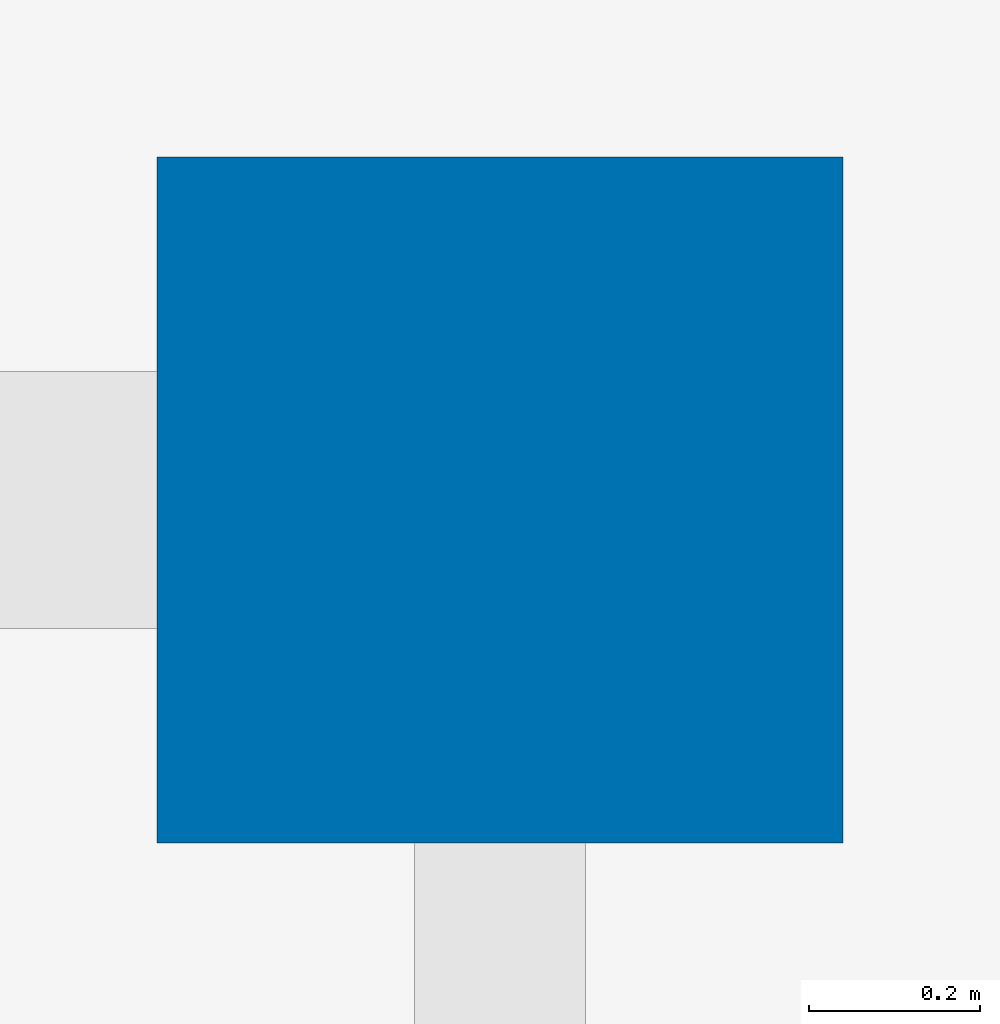
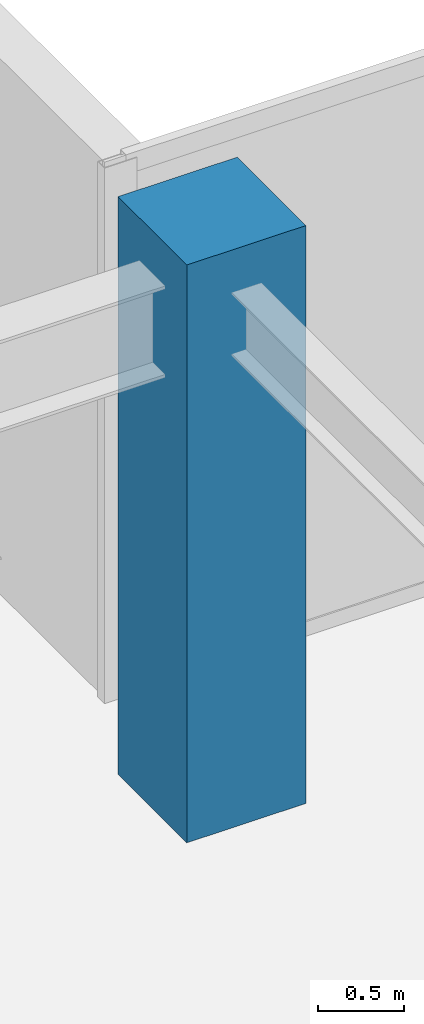
# One storey, part 4 of 33: 1 column.
"""IFC4 building model written with IfcOpenShell, lengths in metres."""

from ifc_helpers import new_model, si_unit, direction, frame, origin, origin_2d, place, context, subcontext, project, spatial, rectangle, extrude, source, transform, mapped, material, material_profile, profile_set, type_object, type_shapes, element, save


model = new_model("IFC4")

# Units and contexts
model_context = context("Model", 3, precision=1e-05, world=origin(), true_north=direction((0.0, 1.0)))
body_context = subcontext(model_context, "Body", "Model", "MODEL_VIEW")
ifc_project = project(units=[si_unit("LENGTHUNIT", "METRE"), si_unit("AREAUNIT", "SQUARE_METRE"), si_unit("VOLUMEUNIT", "CUBIC_METRE"), si_unit("PLANEANGLEUNIT", "RADIAN"), si_unit("MASSUNIT", "GRAM", prefix="KILO")], contexts=[model_context])

# Site, building, storey
site_placement = place(None, origin())
site = spatial("IfcSite", under=ifc_project, at=site_placement, CompositionType="ELEMENT")
building_placement = place(site_placement, origin())
building = spatial("IfcBuilding", under=site, at=building_placement, Name="Haelvirn Gate Laboratories", CompositionType="ELEMENT")
storey_placement = place(building_placement, frame((0.0, 0.0, 230.10009765625)))
storey = spatial("IfcBuildingStorey", under=building, at=storey_placement, Name="L55", CompositionType="ELEMENT", Elevation=230.10009765625)

# Column
ifc_material = material(Name="Concrete C50/60", Category="concrete")
ifc_material_profile = material_profile(ifc_material, rectangle(XDim=0.800048828125, YDim=0.800048828125, at=origin_2d()), Name="RC-800x800")
ifc_profile_set = profile_set([ifc_material_profile], Name="Concrete C50/60")
column_type = type_object("IfcColumnType", Name="COL-RC-800", PredefinedType="COLUMN", material=ifc_profile_set)
shared_shape = source(origin(), body_context, "Body", "SweptSolid", [
    extrude(rectangle(XDim=0.800048828125, YDim=0.800048828125, at=origin_2d()), origin(), (0.0, 0.0, 1.0), 4.099853515625),
])
type_shapes(column_type, [shared_shape])
column_placement = place(storey_placement, frame((67.39990234375, 41.60009765625, 0.0), z_axis=(0.0, 0.0, 1.0), x_axis=(1.0, 0.0, 0.0)))
element("IfcColumn", 1, at=column_placement, inside=storey, type_object=column_type, Name="L55 Column 10G", PredefinedType="COLUMN", context=body_context, shape_type="MappedRepresentation", body=[
    mapped(shared_shape, transform((0.0, 0.0, 0.0), scale=1.0)),
])

save(model, "model.ifc")
